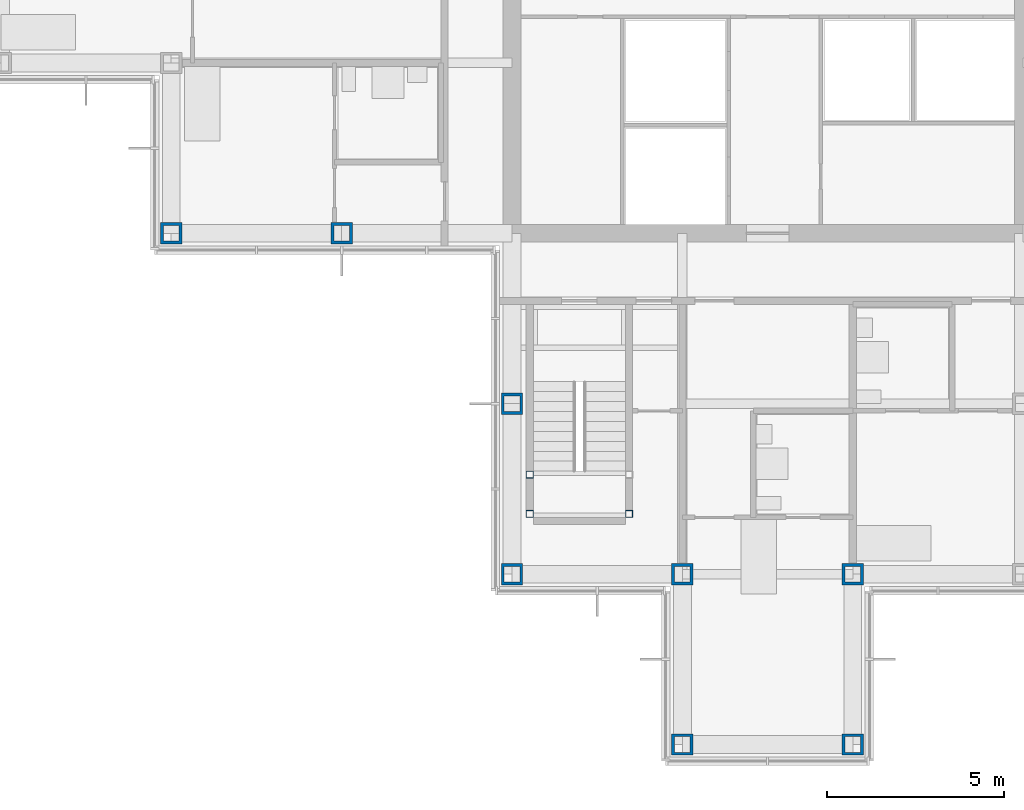
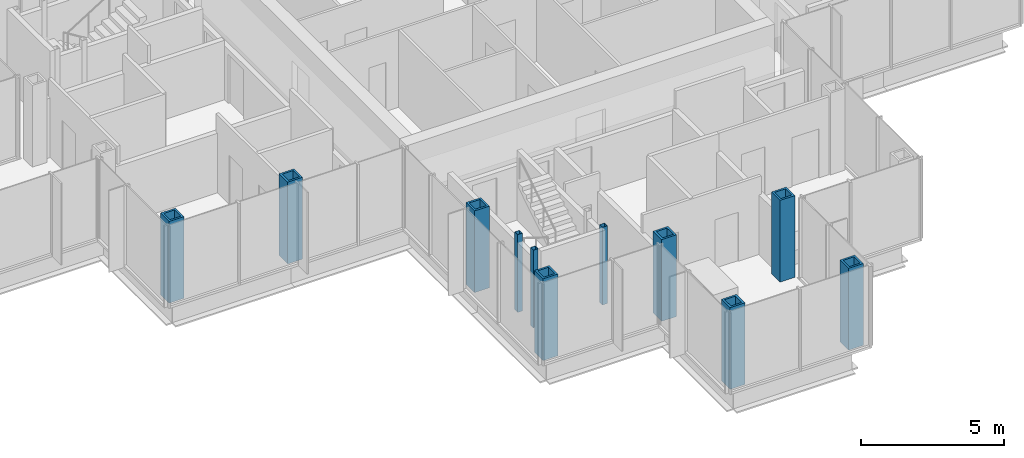
# One storey, part 1 of 17: 11 columns.
"""IFC4 building model written with IfcOpenShell, lengths in metres."""

from ifc_helpers import new_model, si_unit, direction, frame, origin, origin_2d, place, context, subcontext, project, spatial, hollow_rectangle, extrude, material, material_profile, profile_set, type_object, element, save


model = new_model("IFC4")

# Units and contexts
model_context = context("Model", 3, precision=1e-05, world=origin(), true_north=direction((0.0, 1.0)))
body_context = subcontext(model_context, "Body", "Model", "MODEL_VIEW")
ifc_project = project(units=[si_unit("LENGTHUNIT", "METRE"), si_unit("AREAUNIT", "SQUARE_METRE"), si_unit("VOLUMEUNIT", "CUBIC_METRE"), si_unit("PLANEANGLEUNIT", "RADIAN"), si_unit("MASSUNIT", "GRAM", prefix="KILO")], contexts=[model_context])

# Site, building, storey
site_placement = place(None, origin())
site = spatial("IfcSite", under=ifc_project, at=site_placement, CompositionType="ELEMENT")
building_placement = place(site_placement, origin())
building = spatial("IfcBuilding", under=site, at=building_placement, Name="Kvirike Care Tower", CompositionType="ELEMENT")
storey_placement = place(building_placement, frame((0.0, 0.0, 183.0)))
storey = spatial("IfcBuildingStorey", under=building, at=storey_placement, Name="L50", CompositionType="ELEMENT", Elevation=183.0)

# Columns
ifc_material_1 = material(Name="Steel S460", Category="steel")
ifc_material_profile_1 = material_profile(ifc_material_1, hollow_rectangle(XDim=0.60009765625, YDim=0.60009765625, WallThickness=0.080078125, at=origin_2d()), Name="BX 600x600x80")
ifc_profile_set_1 = profile_set([ifc_material_profile_1], Name="Steel S460")
column_type_1 = type_object("IfcColumnType", Name="COLUMN BX 600x600x80", PredefinedType="COLUMN", material=ifc_profile_set_1)
for number, where, z_axis, x_axis, name in (
    (1, (4.800048828125, 28.800048828125, 0.0), (0.0, 0.0, 1.0), (0.0, 1.0, 0.0), "Column G4 L50"),
    (2, (9.60009765625, 28.800048828125, 0.0), (0.0, 0.0, 1.0), (0.0, 1.0, 0.0), "Column G5 L50"),
    (3, (14.39990234375, 19.199951171875, 0.0), (0.0, 0.0, 1.0), (0.0, 1.0, 0.0), "Column E6 L50"),
    (4, (14.39990234375, 24.0, 0.0), (0.0, 0.0, 1.0), (1.0, 0.0, 0.0), "Column F6 L50"),
    (5, (19.199951171875, 14.39990234375, 0.0), (0.0, 0.0, 1.0), (0.0, 1.0, 0.0), "Column D7 L50"),
    (6, (19.199951171875, 19.199951171875, 0.0), (0.0, 0.0, 1.0), (0.0, 1.0, 0.0), "Column E7 L50"),
    (7, (24.0, 14.39990234375, 0.0), (0.0, 0.0, 1.0), (0.0, 1.0, 0.0), "Column D8 L50"),
    (8, (24.0, 19.199951171875, 0.0), (0.0, 0.0, 1.0), (0.0, 1.0, 0.0), "Column E8 L50"),
):
    element("IfcColumn", number, at=place(storey_placement, frame(where, z_axis=z_axis, x_axis=x_axis)), inside=storey, type_object=column_type_1, Name=name, PredefinedType="COLUMN", context=body_context, shape_type="SweptSolid", body=[
        extrude(hollow_rectangle(XDim=0.60009765625, YDim=0.60009765625, WallThickness=0.080078125, at=origin_2d()), origin(), (0.0, 0.0, 1.0), 3.5),
    ])
ifc_material_2 = material(Name="Steel S460", Category="steel")
ifc_material_profile_2 = material_profile(ifc_material_2, hollow_rectangle(XDim=0.199951171875, YDim=0.199951171875, WallThickness=0.008056640625, at=origin_2d()), Name="SHS 200x200x8")
ifc_profile_set_2 = profile_set([ifc_material_profile_2], Name="Steel S460")
column_type_2 = type_object("IfcColumnType", Name="STAIR POST SHS 200x200x8", PredefinedType="COLUMN", material=ifc_profile_set_2)
for number, where, z_axis, x_axis, name in (
    (9, (14.89990234375, 20.89990234375, 0.0), (0.0, 0.0, 1.0), (1.0, 0.0, 0.0), "Stair 5 post 1 L50"),
    (10, (17.699951171875, 20.89990234375, 0.0), (0.0, 0.0, 1.0), (1.0, 0.0, 0.0), "Stair 5 post 2 L50"),
    (11, (14.89990234375, 22.0, 0.0), (0.0, 0.0, 1.0), (1.0, 0.0, 0.0), "Stair 5 post 3 L50"),
):
    element("IfcColumn", number, at=place(storey_placement, frame(where, z_axis=z_axis, x_axis=x_axis)), inside=storey, type_object=column_type_2, Name=name, PredefinedType="COLUMN", context=body_context, shape_type="SweptSolid", body=[
        extrude(hollow_rectangle(XDim=0.199951171875, YDim=0.199951171875, WallThickness=0.008056640625, at=origin_2d()), origin(), (0.0, 0.0, 1.0), 3.330078125),
    ])

save(model, "model.ifc")
